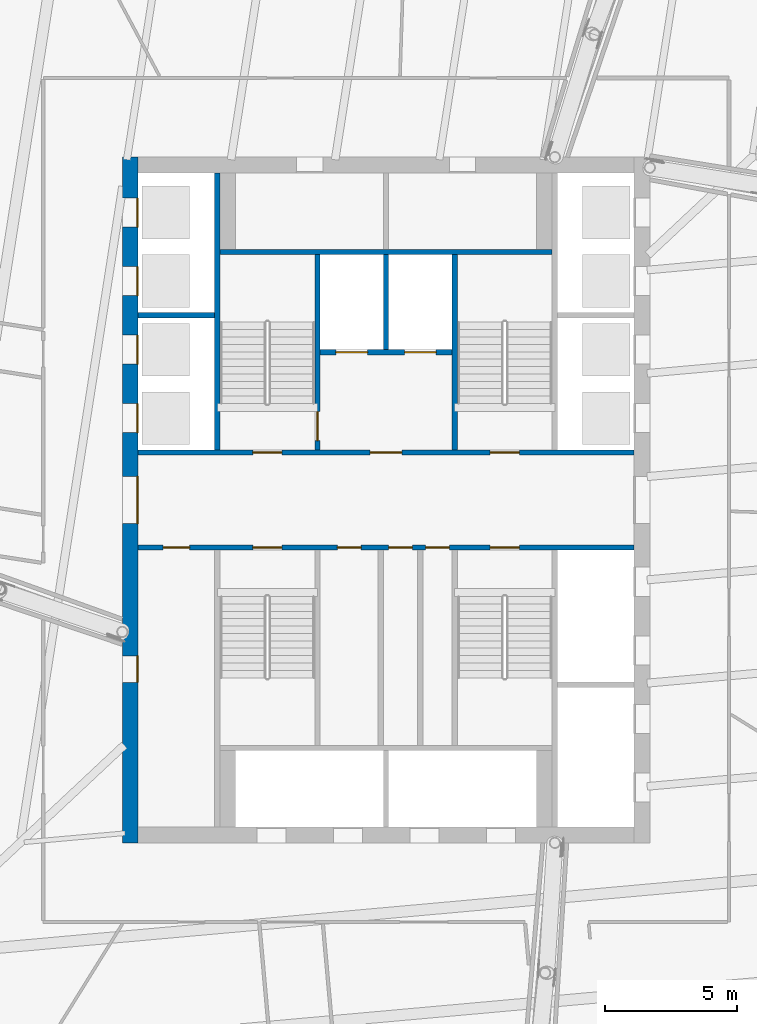
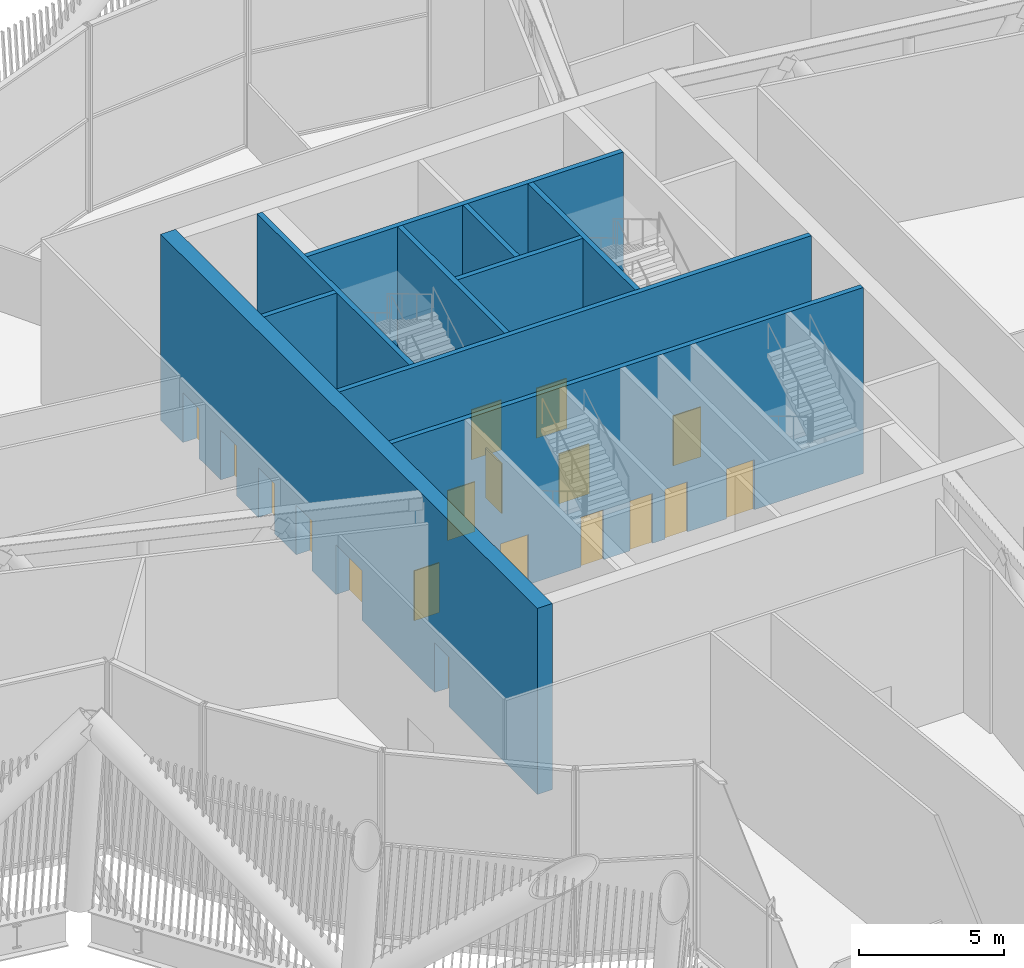
# One storey, part 31 of 55: 18 doors, 10 walls, 18 openings.
"""IFC4 building model written with IfcOpenShell, lengths in metres."""

import ifcopenshell
import ifcopenshell.guid

model = None  # the IFC model being written
_history = None  # IfcOwnerHistory: only IFC2X3 demands one
_inside = {}  # id of a spatial element -> (the spatial element, [elements in it])
_under = {}  # id of a project, library or spatial element -> (it, [spatial elements below it])
_declared = {}  # id of a project -> (the project, [libraries it declares])
_typed = {}  # id of a type object -> (the type object, [elements of that type])
_made_of = {}  # id of a material, layer set ... -> (it, [elements and type objects made of it])


def new_model(schema):
    """Start an empty IFC model of exactly this schema.

    Asked for "IFC4X3", IfcOpenShell would pick the latest addendum, in which some entities
    have other attributes; the version numbers below select the first issue.
    IFC2X3 requires an IfcOwnerHistory on every rooted entity: one is made here for all.
    """
    global model, _history
    if schema == "IFC4X3":
        model = ifcopenshell.file(schema_version=(4, 3, 0, 0))
    else:
        model = ifcopenshell.file(schema=schema)
    _inside.clear()
    _under.clear()
    _declared.clear()
    _typed.clear()
    _made_of.clear()
    _history = None
    if model.schema == "IFC2X3":
        org = make("IfcOrganization", Name="unknown")
        user = make(
            "IfcPersonAndOrganization",
            ThePerson=make("IfcPerson", FamilyName="unknown"),
            TheOrganization=org,
        )
        app = make(
            "IfcApplication",
            ApplicationDeveloper=org,
            Version="unknown",
            ApplicationFullName="unknown",
            ApplicationIdentifier="unknown",
        )
        _history = make(
            "IfcOwnerHistory",
            OwningUser=user,
            OwningApplication=app,
            ChangeAction="ADDED",
            CreationDate=0,
        )
    return model


def make(cls, **values):
    """One entity of the class cls with the attributes given. An attribute that is None is left unset."""
    return model.create_entity(
        cls, **{name: value for name, value in values.items() if value is not None}
    )


def rooted(cls, **values):
    """An entity with a GlobalId (a new one), such as an element, a storey or a relation."""
    return make(cls, GlobalId=ifcopenshell.guid.new(), OwnerHistory=_history, **values)


def si_unit(unit_type, name, prefix=None):
    """IfcSIUnit, for example si_unit("LENGTHUNIT", "METRE", prefix="MILLI")."""
    return make("IfcSIUnit", UnitType=unit_type, Prefix=prefix, Name=name)


def assignment(units):
    """IfcUnitAssignment: the units of a project."""
    return None if units is None else make("IfcUnitAssignment", Units=units)


def point(xyz):
    """IfcCartesianPoint."""
    return None if xyz is None else make("IfcCartesianPoint", Coordinates=xyz)


def direction(xyz):
    """IfcDirection."""
    return None if xyz is None else make("IfcDirection", DirectionRatios=xyz)


def frame(location, z_axis=None, x_axis=None):
    """IfcAxis2Placement3D, a coordinate frame: its origin and axes. An axis left out is left unset."""
    return make(
        "IfcAxis2Placement3D",
        Location=point(location),
        Axis=direction(z_axis),
        RefDirection=direction(x_axis),
    )


def frame_2d(location, x_axis=None):
    """IfcAxis2Placement2D, a coordinate frame in the plane: its origin and x axis."""
    return make(
        "IfcAxis2Placement2D", Location=point(location), RefDirection=direction(x_axis)
    )


def origin():
    """The frame at (0, 0, 0) with its axes left unset."""
    return frame((0.0, 0.0, 0.0))


def place(relative_to, where):
    """IfcLocalPlacement: puts the frame where relative to a parent placement (None: the world)."""
    return make(
        "IfcLocalPlacement", PlacementRelTo=relative_to, RelativePlacement=where
    )


def context(
    kind, dimensions, precision=None, world=None, true_north=None, identifier=None
):
    """IfcGeometricRepresentationContext, for example the 3D "Model" context."""
    return make(
        "IfcGeometricRepresentationContext",
        ContextIdentifier=identifier,
        ContextType=kind,
        CoordinateSpaceDimension=dimensions,
        Precision=precision,
        WorldCoordinateSystem=world,
        TrueNorth=true_north,
    )


def subcontext(parent, identifier, kind, view, scale=None):
    """IfcGeometricRepresentationSubContext, for example "Body" below "Model"."""
    return make(
        "IfcGeometricRepresentationSubContext",
        ContextIdentifier=identifier,
        ContextType=kind,
        ParentContext=parent,
        TargetScale=scale,
        TargetView=view,
    )


def project(units=None, contexts=None):
    """IfcProject with its units and contexts."""
    return rooted(
        "IfcProject",
        Name="project",
        RepresentationContexts=contexts,
        UnitsInContext=assignment(units),
    )


def spatial(cls, under=None, at=None, **own):
    """A site, building, storey or space (cls), placed at a placement, below another one or the project."""
    s = rooted(cls, ObjectPlacement=at, **own)
    if under is not None:
        _under.setdefault(under.id(), (under, []))[1].append(s)
    return s


def profile(cls, at=None, kind="AREA", **sizes):
    """A parametric profile (cls). Its sizes go by their IFC names, for example OverallWidth=200.0."""
    return make(cls, ProfileType=kind, Position=at, **sizes)


def rectangle(**sizes):
    """IfcRectangleProfileDef."""
    return profile("IfcRectangleProfileDef", **sizes)


def extrude(swept, where, along, depth):
    """IfcExtrudedAreaSolid: the profile swept, set in the frame where, extruded along a direction by depth."""
    return make(
        "IfcExtrudedAreaSolid",
        SweptArea=swept,
        Position=where,
        ExtrudedDirection=direction(along),
        Depth=depth,
    )


def shape(context_of_items, identifier, shape_type, items):
    """IfcShapeRepresentation: the items that make up one representation, for example the "Body"."""
    return make(
        "IfcShapeRepresentation",
        ContextOfItems=context_of_items,
        RepresentationIdentifier=identifier,
        RepresentationType=shape_type,
        Items=items,
    )


def material(Name=None, Category=None):
    """IfcMaterial."""
    return make("IfcMaterial", Name=Name, Category=Category)


def layer(
    of_material, thickness, ventilated=None, Name=None, Category=None, Priority=None
):
    """IfcMaterialLayer: one layer of a wall or slab, of a material (None: an air gap)."""
    return make(
        "IfcMaterialLayer",
        Material=of_material,
        LayerThickness=thickness,
        IsVentilated=ventilated,
        Name=Name,
        Category=Category,
        Priority=Priority,
    )


def layer_set(layers, Name=None):
    """IfcMaterialLayerSet."""
    return make("IfcMaterialLayerSet", MaterialLayers=layers, LayerSetName=Name)


def made_of(thing, what):
    """Note that an element or type object is made of a material, layer set ...; save() writes the relation."""
    if what is not None:
        _made_of.setdefault(what.id(), (what, []))[1].append(thing)
    return thing


def type_object(cls, material=None, **own):
    """A type object (cls), such as IfcWallType, which elements share."""
    return made_of(rooted(cls, **own), material)


def element(
    cls,
    number,
    at=None,
    inside=None,
    cuts=None,
    type_object=None,
    material=None,
    context=None,
    identifier="Body",
    shape_type=None,
    held_by="IfcProductDefinitionShape",
    body=None,
    shapes=None,
    **own,
):
    """One element of the class cls, such as IfcWall. Its Tag is "e" and its number.

    at: its placement. inside: the storey or other place that contains it. cuts: it is an
    opening in that element (IfcRelVoidsElement). A single representation is given by context,
    identifier, shape_type and body (its items); several are given by shapes. held_by: the class
    of the entity that holds the representations. save() writes the other relations.
    """
    e = rooted(cls, Tag="e%d" % number, ObjectPlacement=at, **own)
    if body is not None:
        shapes = [shape(context, identifier, shape_type, body)]
    if shapes is not None:
        e.Representation = make(held_by, Representations=shapes)
    if inside is not None:
        _inside.setdefault(inside.id(), (inside, []))[1].append(e)
    if cuts is not None:
        rooted(
            "IfcRelVoidsElement", RelatingBuildingElement=cuts, RelatedOpeningElement=e
        )
    if type_object is not None:
        _typed.setdefault(type_object.id(), (type_object, []))[1].append(e)
    return made_of(e, material)


def fill(opening, filler):
    """IfcRelFillsElement: the door or window that sits in an opening."""
    return rooted(
        "IfcRelFillsElement",
        RelatingOpeningElement=opening,
        RelatedBuildingElement=filler,
    )


def aggregate(whole, parts):
    """IfcRelAggregates: a whole, such as a stair, and the parts it consists of."""
    return rooted("IfcRelAggregates", RelatingObject=whole, RelatedObjects=parts)


def save(model, path):
    """Write the relations noted so far, then the file.

    IfcRelAggregates (storeys below a building ...), IfcRelContainedInSpatialStructure (elements
    in a storey), IfcRelDefinesByType, IfcRelAssociatesMaterial and IfcRelDeclares: one each for
    every whole, place, type object, material and project.
    """
    for whole, parts in _under.values():
        aggregate(whole, parts)
    for where, things in _inside.values():
        rooted(
            "IfcRelContainedInSpatialStructure",
            RelatedElements=things,
            RelatingStructure=where,
        )
    for kind, things in _typed.values():
        rooted("IfcRelDefinesByType", RelatedObjects=things, RelatingType=kind)
    for what, things in _made_of.values():
        rooted("IfcRelAssociatesMaterial", RelatedObjects=things, RelatingMaterial=what)
    for by, libraries in _declared.values():
        rooted("IfcRelDeclares", RelatingContext=by, RelatedDefinitions=libraries)
    model.write(path)


model = new_model("IFC4")

# Units and contexts
model_context = context("Model", 3, precision=1e-05, world=origin(), true_north=direction((0.0, 1.0)))
body_context = subcontext(model_context, "Body", "Model", "MODEL_VIEW")
ifc_project = project(units=[si_unit("LENGTHUNIT", "METRE"), si_unit("AREAUNIT", "SQUARE_METRE"), si_unit("VOLUMEUNIT", "CUBIC_METRE"), si_unit("PLANEANGLEUNIT", "RADIAN"), si_unit("MASSUNIT", "GRAM", prefix="KILO")], contexts=[model_context])

# Site, building, storey
site_placement = place(None, origin())
site = spatial("IfcSite", under=ifc_project, at=site_placement, CompositionType="ELEMENT")
building_placement = place(site_placement, origin())
building = spatial("IfcBuilding", under=site, at=building_placement, Name="Tarsis Ring Headquarters", CompositionType="ELEMENT")
storey_placement = place(building_placement, frame((0.0, 0.0, 247.199951171875)))
storey = spatial("IfcBuildingStorey", under=building, at=storey_placement, Name="L58", CompositionType="ELEMENT", Elevation=247.199951171875)

# Wall, openings, doors
ifc_material_1 = material(Name="Concrete C50/60", Category="concrete")
ifc_layer_1 = layer(ifc_material_1, 0.60009765625)
ifc_layer_set_1 = layer_set([ifc_layer_1], Name="Core wall 600 C50/60")
wall_type_1 = type_object("IfcWallType", Name="Core wall 600 C50/60", PredefinedType="SHEAR", material=ifc_layer_set_1)
wall_1_placement = place(storey_placement, frame((-9.699951171875, -13.0, 0.0), z_axis=(0.0, 0.0, 1.0), x_axis=(0.0, 1.0, 0.0)))
wall_1 = element("IfcWall", 1, at=wall_1_placement, inside=storey, type_object=wall_type_1, Name="Core wall OW", PredefinedType="SHEAR", context=body_context, shape_type="SweptSolid", body=[
    extrude(rectangle(XDim=26.0, YDim=0.60009765625, at=frame_2d((13.0, 0.0))), origin(), (0.0, 0.0, 1.0), 7.840087890625),
])
opening_1_placement = place(wall_1_placement, frame((6.087890625, 0.0, 0.0)))
opening_1 = element("IfcOpeningElement", 2, at=opening_1_placement, cuts=wall_1, Name="Opening L58-C01", PredefinedType="OPENING", context=body_context, shape_type="SweptSolid", body=[
    extrude(rectangle(XDim=1.0, YDim=2.10009765625, at=frame_2d((0.5, 1.050048828125))), frame((0.0, 0.31005859375, 0.0), z_axis=(0.0, -1.0, 0.0), x_axis=(1.0, 0.0, 0.0)), (0.0, 0.0, 1.0), 0.6201171875),
])
opening_2_placement = place(wall_1_placement, frame((12.10009765625, 0.0, 0.0)))
opening_2 = element("IfcOpeningElement", 3, at=opening_2_placement, cuts=wall_1, Name="Opening L58-C02", PredefinedType="OPENING", context=body_context, shape_type="SweptSolid", body=[
    extrude(rectangle(XDim=1.800048828125, YDim=2.10009765625, at=frame_2d((0.89990234375, 1.050048828125))), frame((0.0, 0.31005859375, 0.0), z_axis=(0.0, -1.0, 0.0), x_axis=(1.0, 0.0, 0.0)), (0.0, 0.0, 1.0), 0.6201171875),
])
opening_3_placement = place(wall_1_placement, frame((15.550048828125, 0.0, 0.0)))
opening_3 = element("IfcOpeningElement", 4, at=opening_3_placement, cuts=wall_1, Name="Opening LD-HR1", PredefinedType="OPENING", context=body_context, shape_type="SweptSolid", body=[
    extrude(rectangle(XDim=1.10009765625, YDim=2.10009765625, at=frame_2d((0.550048828125, 1.050048828125))), frame((0.0, 0.31005859375, 0.0), z_axis=(0.0, -1.0, 0.0), x_axis=(1.0, 0.0, 0.0)), (0.0, 0.0, 1.0), 0.6201171875),
])
opening_4_placement = place(wall_1_placement, frame((18.14990234375, 0.0, 0.0)))
opening_4 = element("IfcOpeningElement", 5, at=opening_4_placement, cuts=wall_1, Name="Opening LD-HR2", PredefinedType="OPENING", context=body_context, shape_type="SweptSolid", body=[
    extrude(rectangle(XDim=1.10009765625, YDim=2.10009765625, at=frame_2d((0.550048828125, 1.050048828125))), frame((0.0, 0.31005859375, 0.0), z_axis=(0.0, -1.0, 0.0), x_axis=(1.0, 0.0, 0.0)), (0.0, 0.0, 1.0), 0.6201171875),
])
opening_5_placement = place(wall_1_placement, frame((20.75, 0.0, 0.0)))
opening_5 = element("IfcOpeningElement", 6, at=opening_5_placement, cuts=wall_1, Name="Opening LD-HR3", PredefinedType="OPENING", context=body_context, shape_type="SweptSolid", body=[
    extrude(rectangle(XDim=1.10009765625, YDim=2.10009765625, at=frame_2d((0.550048828125, 1.050048828125))), frame((0.0, 0.31005859375, 0.0), z_axis=(0.0, -1.0, 0.0), x_axis=(1.0, 0.0, 0.0)), (0.0, 0.0, 1.0), 0.6201171875),
])
opening_6_placement = place(wall_1_placement, frame((23.35009765625, 0.0, 0.0)))
opening_6 = element("IfcOpeningElement", 7, at=opening_6_placement, cuts=wall_1, Name="Opening LD-HR4", PredefinedType="OPENING", context=body_context, shape_type="SweptSolid", body=[
    extrude(rectangle(XDim=1.10009765625, YDim=2.10009765625, at=frame_2d((0.550048828125, 1.050048828125))), frame((0.0, 0.31005859375, 0.0), z_axis=(0.0, -1.0, 0.0), x_axis=(1.0, 0.0, 0.0)), (0.0, 0.0, 1.0), 0.6201171875),
])
ifc_material_2 = material(Name="Steel S355", Category="steel")
door_type_1 = type_object("IfcDoorType", Name="Core entry door 1800x2100", OperationType="DOUBLE_DOOR_SINGLE_SWING", PredefinedType="DOOR", material=ifc_material_2)
door_1_placement = place(opening_2_placement, origin())
door_1 = element("IfcDoor", 8, at=door_1_placement, inside=storey, type_object=door_type_1, Name="Core entry door L58", OperationType="DOUBLE_DOOR_SINGLE_SWING", OverallHeight=2.10009765625, OverallWidth=1.800048828125, PredefinedType="DOOR", context=body_context, shape_type="SweptSolid", body=[
    extrude(rectangle(XDim=1.800048828125, YDim=2.10009765625, at=frame_2d((0.89990234375, 1.050048828125))), frame((0.0, -0.25, 0.0), z_axis=(0.0, -1.0, 0.0), x_axis=(1.0, 0.0, 0.0)), (0.0, 0.0, 1.0), 0.050048828125),
])
fill(opening_2, door_1)
door_type_2 = type_object("IfcDoorType", Name="Core room door 1000x2100", OperationType="SINGLE_SWING_LEFT", PredefinedType="DOOR", material=ifc_material_2)
door_2_placement = place(opening_1_placement, origin())
door_2 = element("IfcDoor", 9, at=door_2_placement, inside=storey, type_object=door_type_2, Name="Core room door L58", OperationType="SINGLE_SWING_LEFT", OverallHeight=2.10009765625, OverallWidth=1.0, PredefinedType="DOOR", context=body_context, shape_type="SweptSolid", body=[
    extrude(rectangle(XDim=1.0, YDim=2.10009765625, at=frame_2d((0.5, 1.050048828125))), frame((0.0, -0.25, 0.0), z_axis=(0.0, -1.0, 0.0), x_axis=(1.0, 0.0, 0.0)), (0.0, 0.0, 1.0), 0.050048828125),
])
fill(opening_1, door_2)
door_type_3 = type_object("IfcDoorType", Name="Landing door 1100x2100", OperationType="SLIDING_TO_LEFT", PredefinedType="DOOR", material=ifc_material_2)
door_3_placement = place(opening_3_placement, origin())
door_3 = element("IfcDoor", 10, at=door_3_placement, inside=storey, type_object=door_type_3, Name="Landing door HR1 L58", OperationType="SLIDING_TO_LEFT", OverallHeight=2.10009765625, OverallWidth=1.10009765625, PredefinedType="DOOR", context=body_context, shape_type="SweptSolid", body=[
    extrude(rectangle(XDim=1.10009765625, YDim=2.10009765625, at=frame_2d((0.550048828125, 1.050048828125))), frame((0.0, -0.25, 0.0), z_axis=(0.0, -1.0, 0.0), x_axis=(1.0, 0.0, 0.0)), (0.0, 0.0, 1.0), 0.050048828125),
])
fill(opening_3, door_3)
door_4_placement = place(opening_4_placement, origin())
door_4 = element("IfcDoor", 11, at=door_4_placement, inside=storey, type_object=door_type_3, Name="Landing door HR2 L58", OperationType="SLIDING_TO_LEFT", OverallHeight=2.10009765625, OverallWidth=1.10009765625, PredefinedType="DOOR", context=body_context, shape_type="SweptSolid", body=[
    extrude(rectangle(XDim=1.10009765625, YDim=2.10009765625, at=frame_2d((0.550048828125, 1.050048828125))), frame((0.0, -0.25, 0.0), z_axis=(0.0, -1.0, 0.0), x_axis=(1.0, 0.0, 0.0)), (0.0, 0.0, 1.0), 0.050048828125),
])
fill(opening_4, door_4)
door_5_placement = place(opening_5_placement, origin())
door_5 = element("IfcDoor", 12, at=door_5_placement, inside=storey, type_object=door_type_3, Name="Landing door HR3 L58", OperationType="SLIDING_TO_LEFT", OverallHeight=2.10009765625, OverallWidth=1.10009765625, PredefinedType="DOOR", context=body_context, shape_type="SweptSolid", body=[
    extrude(rectangle(XDim=1.10009765625, YDim=2.10009765625, at=frame_2d((0.550048828125, 1.050048828125))), frame((0.0, -0.25, 0.0), z_axis=(0.0, -1.0, 0.0), x_axis=(1.0, 0.0, 0.0)), (0.0, 0.0, 1.0), 0.050048828125),
])
fill(opening_5, door_5)
door_6_placement = place(opening_6_placement, origin())
door_6 = element("IfcDoor", 13, at=door_6_placement, inside=storey, type_object=door_type_3, Name="Landing door HR4 L58", OperationType="SLIDING_TO_LEFT", OverallHeight=2.10009765625, OverallWidth=1.10009765625, PredefinedType="DOOR", context=body_context, shape_type="SweptSolid", body=[
    extrude(rectangle(XDim=1.10009765625, YDim=2.10009765625, at=frame_2d((0.550048828125, 1.050048828125))), frame((0.0, -0.25, 0.0), z_axis=(0.0, -1.0, 0.0), x_axis=(1.0, 0.0, 0.0)), (0.0, 0.0, 1.0), 0.050048828125),
])
fill(opening_6, door_6)

ifc_material_3 = material(Name="Concrete C32/40", Category="concrete")
ifc_layer_2 = layer(ifc_material_3, 0.199951171875)
ifc_layer_set_2 = layer_set([ifc_layer_2], Name="Shaft wall 200 C32/40")
wall_type_2 = type_object("IfcWallType", Name="Shaft wall 200 C32/40", PredefinedType="SOLIDWALL", material=ifc_layer_set_2)
wall_2_placement = place(storey_placement, frame((-9.39990234375, 1.800048828125, 0.0), z_axis=(0.0, 0.0, 1.0), x_axis=(1.0, 0.0, 0.0)))
wall_2 = element("IfcWall", 14, at=wall_2_placement, inside=storey, type_object=wall_type_2, Name="Core shaft wall CN", PredefinedType="SOLIDWALL", context=body_context, shape_type="SweptSolid", body=[
    extrude(rectangle(XDim=18.7998046875, YDim=0.199951171875, at=frame_2d((9.39990234375, 0.0))), origin(), (0.0, 0.0, 1.0), 7.840087890625),
])
opening_7_placement = place(wall_2_placement, frame((4.35009765625, 0.0, 0.0)))
opening_7 = element("IfcOpeningElement", 15, at=opening_7_placement, cuts=wall_2, Name="Opening L58-C22", PredefinedType="OPENING", context=body_context, shape_type="SweptSolid", body=[
    extrude(rectangle(XDim=1.10009765625, YDim=2.10009765625, at=frame_2d((0.550048828125, 1.050048828125))), frame((0.0, 0.10986328125, 0.0), z_axis=(0.0, -1.0, 0.0), x_axis=(1.0, 0.0, 0.0)), (0.0, 0.0, 1.0), 0.219970703125),
])
opening_8_placement = place(wall_2_placement, frame((8.800048828125, 0.0, 0.0)))
opening_8 = element("IfcOpeningElement", 16, at=opening_8_placement, cuts=wall_2, Name="Opening L58-C23", PredefinedType="OPENING", context=body_context, shape_type="SweptSolid", body=[
    extrude(rectangle(XDim=1.199951171875, YDim=2.10009765625, at=frame_2d((0.60009765625, 1.050048828125))), frame((0.0, 0.10986328125, 0.0), z_axis=(0.0, -1.0, 0.0), x_axis=(1.0, 0.0, 0.0)), (0.0, 0.0, 1.0), 0.219970703125),
])
opening_9_placement = place(wall_2_placement, frame((13.35009765625, 0.0, 0.0)))
opening_9 = element("IfcOpeningElement", 17, at=opening_9_placement, cuts=wall_2, Name="Opening L58-C24", PredefinedType="OPENING", context=body_context, shape_type="SweptSolid", body=[
    extrude(rectangle(XDim=1.10009765625, YDim=2.10009765625, at=frame_2d((0.550048828125, 1.050048828125))), frame((0.0, 0.10986328125, 0.0), z_axis=(0.0, -1.0, 0.0), x_axis=(1.0, 0.0, 0.0)), (0.0, 0.0, 1.0), 0.219970703125),
])
door_type_4 = type_object("IfcDoorType", Name="Firefighting lobby door 1200x2100", OperationType="DOUBLE_DOOR_SINGLE_SWING", PredefinedType="DOOR", material=ifc_material_2)
door_7_placement = place(opening_8_placement, origin())
door_7 = element("IfcDoor", 18, at=door_7_placement, inside=storey, type_object=door_type_4, Name="Firefighting lobby door L58", OperationType="DOUBLE_DOOR_SINGLE_SWING", OverallHeight=2.10009765625, OverallWidth=1.199951171875, PredefinedType="DOOR", context=body_context, shape_type="SweptSolid", body=[
    extrude(rectangle(XDim=1.199951171875, YDim=2.10009765625, at=frame_2d((0.60009765625, 1.050048828125))), frame((0.0, 0.02490234375, 0.0), z_axis=(0.0, -1.0, 0.0), x_axis=(1.0, 0.0, 0.0)), (0.0, 0.0, 1.0), 0.050048828125),
])
fill(opening_8, door_7)
door_type_5 = type_object("IfcDoorType", Name="Stair door 1100x2100", OperationType="SINGLE_SWING_LEFT", PredefinedType="DOOR", material=ifc_material_2)
door_8_placement = place(opening_7_placement, origin())
door_8 = element("IfcDoor", 19, at=door_8_placement, inside=storey, type_object=door_type_5, Name="Stair door L58", OperationType="SINGLE_SWING_LEFT", OverallHeight=2.10009765625, OverallWidth=1.10009765625, PredefinedType="DOOR", context=body_context, shape_type="SweptSolid", body=[
    extrude(rectangle(XDim=1.10009765625, YDim=2.10009765625, at=frame_2d((0.550048828125, 1.050048828125))), frame((0.0, 0.02490234375, 0.0), z_axis=(0.0, -1.0, 0.0), x_axis=(1.0, 0.0, 0.0)), (0.0, 0.0, 1.0), 0.050048828125),
])
fill(opening_7, door_8)
door_9_placement = place(opening_9_placement, origin())
door_9 = element("IfcDoor", 20, at=door_9_placement, inside=storey, type_object=door_type_5, Name="Stair door L58", OperationType="SINGLE_SWING_LEFT", OverallHeight=2.10009765625, OverallWidth=1.10009765625, PredefinedType="DOOR", context=body_context, shape_type="SweptSolid", body=[
    extrude(rectangle(XDim=1.10009765625, YDim=2.10009765625, at=frame_2d((0.550048828125, 1.050048828125))), frame((0.0, 0.02490234375, 0.0), z_axis=(0.0, -1.0, 0.0), x_axis=(1.0, 0.0, 0.0)), (0.0, 0.0, 1.0), 0.050048828125),
])
fill(opening_9, door_9)

wall_3_placement = place(storey_placement, frame((-9.39990234375, -1.800048828125, 0.0), z_axis=(0.0, 0.0, 1.0), x_axis=(1.0, 0.0, 0.0)))
wall_3 = element("IfcWall", 21, at=wall_3_placement, inside=storey, type_object=wall_type_2, Name="Core shaft wall CS", PredefinedType="SOLIDWALL", context=body_context, shape_type="SweptSolid", body=[
    extrude(rectangle(XDim=18.7998046875, YDim=0.199951171875, at=frame_2d((9.39990234375, 0.0))), origin(), (0.0, 0.0, 1.0), 7.840087890625),
])
opening_10_placement = place(wall_3_placement, frame((0.949951171875, 0.0, 0.0)))
opening_10 = element("IfcOpeningElement", 22, at=opening_10_placement, cuts=wall_3, Name="Opening L58-C25", PredefinedType="OPENING", context=body_context, shape_type="SweptSolid", body=[
    extrude(rectangle(XDim=1.0, YDim=2.10009765625, at=frame_2d((0.5, 1.050048828125))), frame((0.0, 0.10986328125, 0.0), z_axis=(0.0, -1.0, 0.0), x_axis=(1.0, 0.0, 0.0)), (0.0, 0.0, 1.0), 0.219970703125),
])
opening_11_placement = place(wall_3_placement, frame((4.35009765625, 0.0, 0.0)))
opening_11 = element("IfcOpeningElement", 23, at=opening_11_placement, cuts=wall_3, Name="Opening L58-C26", PredefinedType="OPENING", context=body_context, shape_type="SweptSolid", body=[
    extrude(rectangle(XDim=1.10009765625, YDim=2.10009765625, at=frame_2d((0.550048828125, 1.050048828125))), frame((0.0, 0.10986328125, 0.0), z_axis=(0.0, -1.0, 0.0), x_axis=(1.0, 0.0, 0.0)), (0.0, 0.0, 1.0), 0.219970703125),
])
opening_12_placement = place(wall_3_placement, frame((7.550048828125, 0.0, 0.0)))
opening_12 = element("IfcOpeningElement", 24, at=opening_12_placement, cuts=wall_3, Name="Opening L58-C27", PredefinedType="OPENING", context=body_context, shape_type="SweptSolid", body=[
    extrude(rectangle(XDim=0.89990234375, YDim=2.10009765625, at=frame_2d((0.449951171875, 1.050048828125))), frame((0.0, 0.10986328125, 0.0), z_axis=(0.0, -1.0, 0.0), x_axis=(1.0, 0.0, 0.0)), (0.0, 0.0, 1.0), 0.219970703125),
])
opening_13_placement = place(wall_3_placement, frame((9.5, 0.0, 0.0)))
opening_13 = element("IfcOpeningElement", 25, at=opening_13_placement, cuts=wall_3, Name="Opening L58-C28", PredefinedType="OPENING", context=body_context, shape_type="SweptSolid", body=[
    extrude(rectangle(XDim=0.89990234375, YDim=2.10009765625, at=frame_2d((0.449951171875, 1.050048828125))), frame((0.0, 0.10986328125, 0.0), z_axis=(0.0, -1.0, 0.0), x_axis=(1.0, 0.0, 0.0)), (0.0, 0.0, 1.0), 0.219970703125),
])
opening_14_placement = place(wall_3_placement, frame((10.89990234375, 0.0, 0.0)))
opening_14 = element("IfcOpeningElement", 26, at=opening_14_placement, cuts=wall_3, Name="Opening L58-C29", PredefinedType="OPENING", context=body_context, shape_type="SweptSolid", body=[
    extrude(rectangle(XDim=0.89990234375, YDim=2.10009765625, at=frame_2d((0.449951171875, 1.050048828125))), frame((0.0, 0.10986328125, 0.0), z_axis=(0.0, -1.0, 0.0), x_axis=(1.0, 0.0, 0.0)), (0.0, 0.0, 1.0), 0.219970703125),
])
opening_15_placement = place(wall_3_placement, frame((13.35009765625, 0.0, 0.0)))
opening_15 = element("IfcOpeningElement", 27, at=opening_15_placement, cuts=wall_3, Name="Opening L58-C30", PredefinedType="OPENING", context=body_context, shape_type="SweptSolid", body=[
    extrude(rectangle(XDim=1.10009765625, YDim=2.10009765625, at=frame_2d((0.550048828125, 1.050048828125))), frame((0.0, 0.10986328125, 0.0), z_axis=(0.0, -1.0, 0.0), x_axis=(1.0, 0.0, 0.0)), (0.0, 0.0, 1.0), 0.219970703125),
])
door_10_placement = place(opening_10_placement, origin())
door_10 = element("IfcDoor", 28, at=door_10_placement, inside=storey, type_object=door_type_2, Name="Core room door L58", OperationType="SINGLE_SWING_LEFT", OverallHeight=2.10009765625, OverallWidth=1.0, PredefinedType="DOOR", context=body_context, shape_type="SweptSolid", body=[
    extrude(rectangle(XDim=1.0, YDim=2.10009765625, at=frame_2d((0.5, 1.050048828125))), frame((0.0, 0.02490234375, 0.0), z_axis=(0.0, -1.0, 0.0), x_axis=(1.0, 0.0, 0.0)), (0.0, 0.0, 1.0), 0.050048828125),
])
fill(opening_10, door_10)
door_11_placement = place(opening_11_placement, origin())
door_11 = element("IfcDoor", 29, at=door_11_placement, inside=storey, type_object=door_type_5, Name="Stair door L58", OperationType="SINGLE_SWING_LEFT", OverallHeight=2.10009765625, OverallWidth=1.10009765625, PredefinedType="DOOR", context=body_context, shape_type="SweptSolid", body=[
    extrude(rectangle(XDim=1.10009765625, YDim=2.10009765625, at=frame_2d((0.550048828125, 1.050048828125))), frame((0.0, 0.02490234375, 0.0), z_axis=(0.0, -1.0, 0.0), x_axis=(1.0, 0.0, 0.0)), (0.0, 0.0, 1.0), 0.050048828125),
])
fill(opening_11, door_11)
door_12_placement = place(opening_15_placement, origin())
door_12 = element("IfcDoor", 30, at=door_12_placement, inside=storey, type_object=door_type_5, Name="Stair door L58", OperationType="SINGLE_SWING_LEFT", OverallHeight=2.10009765625, OverallWidth=1.10009765625, PredefinedType="DOOR", context=body_context, shape_type="SweptSolid", body=[
    extrude(rectangle(XDim=1.10009765625, YDim=2.10009765625, at=frame_2d((0.550048828125, 1.050048828125))), frame((0.0, 0.02490234375, 0.0), z_axis=(0.0, -1.0, 0.0), x_axis=(1.0, 0.0, 0.0)), (0.0, 0.0, 1.0), 0.050048828125),
])
fill(opening_15, door_12)
door_type_6 = type_object("IfcDoorType", Name="WC door 900x2100", OperationType="SINGLE_SWING_LEFT", PredefinedType="DOOR", material=ifc_material_2)
door_13_placement = place(opening_12_placement, origin())
door_13 = element("IfcDoor", 31, at=door_13_placement, inside=storey, type_object=door_type_6, Name="WC door L58", OperationType="SINGLE_SWING_LEFT", OverallHeight=2.10009765625, OverallWidth=0.89990234375, PredefinedType="DOOR", context=body_context, shape_type="SweptSolid", body=[
    extrude(rectangle(XDim=0.89990234375, YDim=2.10009765625, at=frame_2d((0.449951171875, 1.050048828125))), frame((0.0, 0.02490234375, 0.0), z_axis=(0.0, -1.0, 0.0), x_axis=(1.0, 0.0, 0.0)), (0.0, 0.0, 1.0), 0.050048828125),
])
fill(opening_12, door_13)
door_14_placement = place(opening_13_placement, origin())
door_14 = element("IfcDoor", 32, at=door_14_placement, inside=storey, type_object=door_type_6, Name="WC door L58", OperationType="SINGLE_SWING_LEFT", OverallHeight=2.10009765625, OverallWidth=0.89990234375, PredefinedType="DOOR", context=body_context, shape_type="SweptSolid", body=[
    extrude(rectangle(XDim=0.89990234375, YDim=2.10009765625, at=frame_2d((0.449951171875, 1.050048828125))), frame((0.0, 0.02490234375, 0.0), z_axis=(0.0, -1.0, 0.0), x_axis=(1.0, 0.0, 0.0)), (0.0, 0.0, 1.0), 0.050048828125),
])
fill(opening_13, door_14)
door_15_placement = place(opening_14_placement, origin())
door_15 = element("IfcDoor", 33, at=door_15_placement, inside=storey, type_object=door_type_6, Name="WC door L58", OperationType="SINGLE_SWING_LEFT", OverallHeight=2.10009765625, OverallWidth=0.89990234375, PredefinedType="DOOR", context=body_context, shape_type="SweptSolid", body=[
    extrude(rectangle(XDim=0.89990234375, YDim=2.10009765625, at=frame_2d((0.449951171875, 1.050048828125))), frame((0.0, 0.02490234375, 0.0), z_axis=(0.0, -1.0, 0.0), x_axis=(1.0, 0.0, 0.0)), (0.0, 0.0, 1.0), 0.050048828125),
])
fill(opening_14, door_15)

# Walls
wall_4_placement = place(storey_placement, frame((-6.39990234375, 1.89990234375, 0.0), z_axis=(0.0, 0.0, 1.0), x_axis=(0.0, 1.0, 0.0)))
element("IfcWall", 34, at=wall_4_placement, inside=storey, type_object=wall_type_2, Name="Core shaft wall WB2", PredefinedType="SOLIDWALL", context=body_context, shape_type="SweptSolid", body=[
    extrude(rectangle(XDim=10.5, YDim=0.199951171875, at=frame_2d((5.25, 0.0))), origin(), (0.0, 0.0, 1.0), 7.840087890625),
])
wall_5_placement = place(storey_placement, frame((-6.300048828125, 9.39990234375, 0.0), z_axis=(0.0, 0.0, 1.0), x_axis=(1.0, 0.0, 0.0)))
element("IfcWall", 35, at=wall_5_placement, inside=storey, type_object=wall_type_2, Name="Core shaft wall NB", PredefinedType="SOLIDWALL", context=body_context, shape_type="SweptSolid", body=[
    extrude(rectangle(XDim=12.60009765625, YDim=0.199951171875, at=frame_2d((6.300048828125, 0.0))), origin(), (0.0, 0.0, 1.0), 7.840087890625),
])

# Wall, opening, door
wall_6_placement = place(storey_placement, frame((-2.60009765625, 1.89990234375, 0.0), z_axis=(0.0, 0.0, 1.0), x_axis=(0.0, 1.0, 0.0)))
wall_6 = element("IfcWall", 36, at=wall_6_placement, inside=storey, type_object=wall_type_2, Name="Core shaft wall SW1", PredefinedType="SOLIDWALL", context=body_context, shape_type="SweptSolid", body=[
    extrude(rectangle(XDim=7.400146484375, YDim=0.199951171875, at=frame_2d((3.7001953125, 0.0))), origin(), (0.0, 0.0, 1.0), 7.840087890625),
])
opening_16_placement = place(wall_6_placement, frame((0.35009765625, 0.0, 0.0)))
opening_16 = element("IfcOpeningElement", 37, at=opening_16_placement, cuts=wall_6, Name="Opening L58-C31", PredefinedType="OPENING", context=body_context, shape_type="SweptSolid", body=[
    extrude(rectangle(XDim=1.10009765625, YDim=2.10009765625, at=frame_2d((0.550048828125, 1.050048828125))), frame((0.0, 0.10986328125, 0.0), z_axis=(0.0, -1.0, 0.0), x_axis=(1.0, 0.0, 0.0)), (0.0, 0.0, 1.0), 0.219970703125),
])
door_16_placement = place(opening_16_placement, origin())
door_16 = element("IfcDoor", 38, at=door_16_placement, inside=storey, type_object=door_type_5, Name="Stair door L58", OperationType="SINGLE_SWING_LEFT", OverallHeight=2.10009765625, OverallWidth=1.10009765625, PredefinedType="DOOR", context=body_context, shape_type="SweptSolid", body=[
    extrude(rectangle(XDim=1.10009765625, YDim=2.10009765625, at=frame_2d((0.550048828125, 1.050048828125))), frame((0.0, 0.02490234375, 0.0), z_axis=(0.0, -1.0, 0.0), x_axis=(1.0, 0.0, 0.0)), (0.0, 0.0, 1.0), 0.050048828125),
])
fill(opening_16, door_16)

# Wall
wall_7_placement = place(storey_placement, frame((2.60009765625, 1.89990234375, 0.0), z_axis=(0.0, 0.0, 1.0), x_axis=(0.0, 1.0, 0.0)))
element("IfcWall", 39, at=wall_7_placement, inside=storey, type_object=wall_type_2, Name="Core shaft wall SW2", PredefinedType="SOLIDWALL", context=body_context, shape_type="SweptSolid", body=[
    extrude(rectangle(XDim=7.400146484375, YDim=0.199951171875, at=frame_2d((3.7001953125, 0.0))), origin(), (0.0, 0.0, 1.0), 7.840087890625),
])

# Wall, openings, doors
wall_8_placement = place(storey_placement, frame((-2.5, 5.60009765625, 0.0), z_axis=(0.0, 0.0, 1.0), x_axis=(1.0, 0.0, 0.0)))
wall_8 = element("IfcWall", 40, at=wall_8_placement, inside=storey, type_object=wall_type_2, Name="Core shaft wall FFN", PredefinedType="SOLIDWALL", context=body_context, shape_type="SweptSolid", body=[
    extrude(rectangle(XDim=5.0, YDim=0.199951171875, at=frame_2d((2.5, 0.0))), origin(), (0.0, 0.0, 1.0), 7.840087890625),
])
opening_17_placement = place(wall_8_placement, frame((0.60009765625, 0.0, 0.0)))
opening_17 = element("IfcOpeningElement", 41, at=opening_17_placement, cuts=wall_8, Name="Opening LDF-1", PredefinedType="OPENING", context=body_context, shape_type="SweptSolid", body=[
    extrude(rectangle(XDim=1.199951171875, YDim=2.10009765625, at=frame_2d((0.60009765625, 1.050048828125))), frame((0.0, 0.10986328125, 0.0), z_axis=(0.0, -1.0, 0.0), x_axis=(1.0, 0.0, 0.0)), (0.0, 0.0, 1.0), 0.219970703125),
])
opening_18_placement = place(wall_8_placement, frame((3.199951171875, 0.0, 0.0)))
opening_18 = element("IfcOpeningElement", 42, at=opening_18_placement, cuts=wall_8, Name="Opening LDF-2", PredefinedType="OPENING", context=body_context, shape_type="SweptSolid", body=[
    extrude(rectangle(XDim=1.199951171875, YDim=2.10009765625, at=frame_2d((0.60009765625, 1.050048828125))), frame((0.0, 0.10986328125, 0.0), z_axis=(0.0, -1.0, 0.0), x_axis=(1.0, 0.0, 0.0)), (0.0, 0.0, 1.0), 0.219970703125),
])
door_type_7 = type_object("IfcDoorType", Name="Firefighting landing door 1200x2100", OperationType="SLIDING_TO_LEFT", PredefinedType="DOOR", material=ifc_material_2)
door_17_placement = place(opening_17_placement, origin())
door_17 = element("IfcDoor", 43, at=door_17_placement, inside=storey, type_object=door_type_7, Name="Landing door FF1 L58", OperationType="SLIDING_TO_LEFT", OverallHeight=2.10009765625, OverallWidth=1.199951171875, PredefinedType="DOOR", context=body_context, shape_type="SweptSolid", body=[
    extrude(rectangle(XDim=1.199951171875, YDim=2.10009765625, at=frame_2d((0.60009765625, 1.050048828125))), frame((0.0, 0.02490234375, 0.0), z_axis=(0.0, -1.0, 0.0), x_axis=(1.0, 0.0, 0.0)), (0.0, 0.0, 1.0), 0.050048828125),
])
fill(opening_17, door_17)
door_18_placement = place(opening_18_placement, origin())
door_18 = element("IfcDoor", 44, at=door_18_placement, inside=storey, type_object=door_type_7, Name="Landing door FF2 L58", OperationType="SLIDING_TO_LEFT", OverallHeight=2.10009765625, OverallWidth=1.199951171875, PredefinedType="DOOR", context=body_context, shape_type="SweptSolid", body=[
    extrude(rectangle(XDim=1.199951171875, YDim=2.10009765625, at=frame_2d((0.60009765625, 1.050048828125))), frame((0.0, 0.02490234375, 0.0), z_axis=(0.0, -1.0, 0.0), x_axis=(1.0, 0.0, 0.0)), (0.0, 0.0, 1.0), 0.050048828125),
])
fill(opening_18, door_18)

# Walls
wall_9_placement = place(storey_placement, frame((0.0, 5.699951171875, 0.0), z_axis=(0.0, 0.0, 1.0), x_axis=(0.0, 1.0, 0.0)))
element("IfcWall", 45, at=wall_9_placement, inside=storey, type_object=wall_type_2, Name="Core shaft wall FFD", PredefinedType="SOLIDWALL", context=body_context, shape_type="SweptSolid", body=[
    extrude(rectangle(XDim=3.60009765625, YDim=0.199951171875, at=frame_2d((1.800048828125, 0.0))), origin(), (0.0, 0.0, 1.0), 7.840087890625),
])
wall_10_placement = place(storey_placement, frame((-9.39990234375, 7.0, 0.0), z_axis=(0.0, 0.0, 1.0), x_axis=(1.0, 0.0, 0.0)))
element("IfcWall", 46, at=wall_10_placement, inside=storey, type_object=wall_type_2, Name="Core shaft wall WD6", PredefinedType="SOLIDWALL", context=body_context, shape_type="SweptSolid", body=[
    extrude(rectangle(XDim=2.89990234375, YDim=0.199951171875, at=frame_2d((1.449951171875, 0.0))), origin(), (0.0, 0.0, 1.0), 7.840087890625),
])

save(model, "model.ifc")
